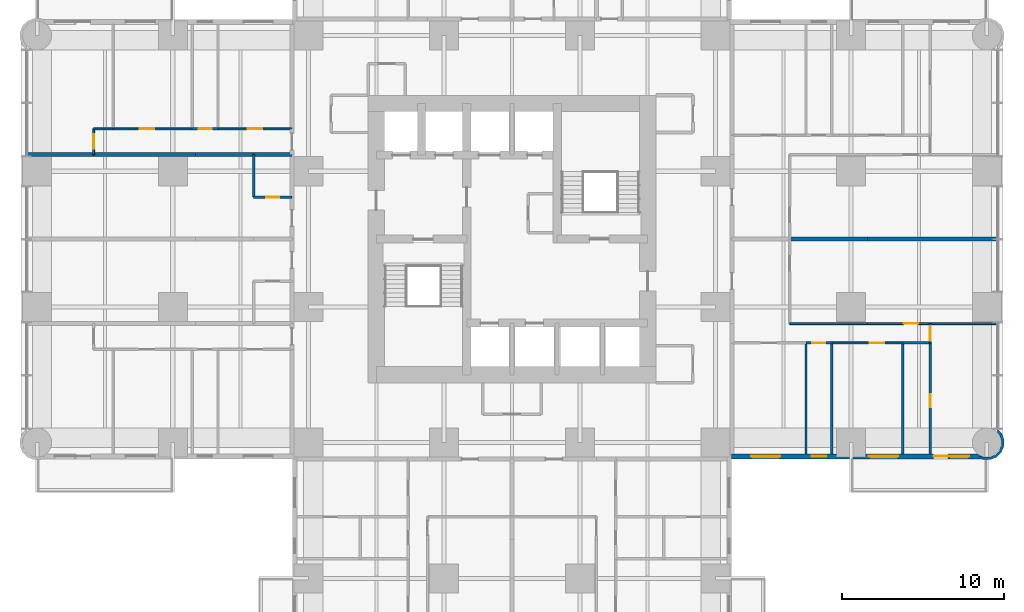
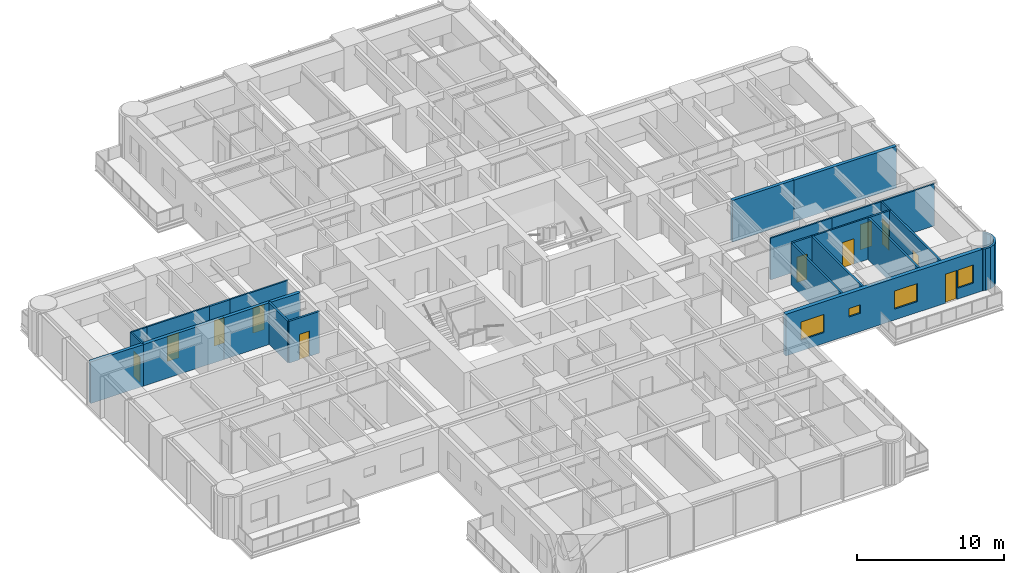
# One storey, part 11 of 17: 26 walls, 11 doors, 4 windows, 15 openings.
"""IFC4 building model written with IfcOpenShell, lengths in metres."""

from ifc_helpers import new_model, si_unit, direction, frame, frame_2d, origin, place, context, subcontext, project, spatial, polyline, rectangle, outline, extrude, material, layer, layer_set, type_object, element, fill, save


model = new_model("IFC4")

# Units and contexts
model_context = context("Model", 3, precision=1e-05, world=origin(), true_north=direction((0.0, 1.0)))
body_context = subcontext(model_context, "Body", "Model", "MODEL_VIEW")
ifc_project = project(units=[si_unit("LENGTHUNIT", "METRE"), si_unit("AREAUNIT", "SQUARE_METRE"), si_unit("VOLUMEUNIT", "CUBIC_METRE"), si_unit("PLANEANGLEUNIT", "RADIAN"), si_unit("MASSUNIT", "GRAM", prefix="KILO")], contexts=[model_context])

# Site, building, storey
site_placement = place(None, origin())
site = spatial("IfcSite", under=ifc_project, at=site_placement, CompositionType="ELEMENT")
building_placement = place(site_placement, origin())
building = spatial("IfcBuilding", under=site, at=building_placement, Name="Torre Alcanfor", CompositionType="ELEMENT")
storey_placement = place(building_placement, frame((0.0, 0.0, 66.89990234375)))
storey = spatial("IfcBuildingStorey", under=building, at=storey_placement, Name="L16", CompositionType="ELEMENT", Elevation=66.89990234375)

# Wall
ifc_material_1 = material(Name="Gypsum board on steel studs", Category="steel")
ifc_layer_1 = layer(ifc_material_1, 0.1201171875)
ifc_layer_set_1 = layer_set([ifc_layer_1], Name="Apartment partition 120")
wall_type_1 = type_object("IfcWallType", Name="Apartment partition 120", PredefinedType="PARTITIONING", material=ifc_layer_set_1)
wall_1_placement = place(storey_placement, frame((51.39990234375, 24.1708984375, 0.0), z_axis=(0.0, 0.0, 1.0), x_axis=(-1.0, 0.0, 0.0)))
element("IfcWall", 1, at=wall_1_placement, inside=storey, type_object=wall_type_1, Name="Partition L16-E2-KITCHEN / L16-E2-HALL", PredefinedType="PARTITIONING", context=body_context, shape_type="SweptSolid", body=[
    extrude(rectangle(XDim=4.7998046875, YDim=0.1201171875, at=frame_2d((2.39990234375, 0.0))), origin(), (0.0, 0.0, 1.0), 3.4501953125),
])

# Wall, opening, door
wall_2_placement = place(storey_placement, frame((55.300048828125, 24.1708984375, 0.0), z_axis=(0.0, 0.0, 1.0), x_axis=(-1.0, 0.0, 0.0)))
wall_2 = element("IfcWall", 2, at=wall_2_placement, inside=storey, type_object=wall_type_1, Name="Partition L16-E2-LIVING / L16-E2-HALL", PredefinedType="PARTITIONING", context=body_context, shape_type="SweptSolid", body=[
    extrude(rectangle(XDim=3.900146484375, YDim=0.1201171875, at=frame_2d((1.9501953125, 0.0))), origin(), (0.0, 0.0, 1.0), 3.4501953125),
])
opening_1_placement = place(wall_2_placement, frame((0.75, 0.0, 0.0)))
opening_1 = element("IfcOpeningElement", 3, at=opening_1_placement, cuts=wall_2, Name="Opening D-R1", PredefinedType="OPENING", context=body_context, shape_type="SweptSolid", body=[
    extrude(rectangle(XDim=0.89990234375, YDim=2.10009765625, at=frame_2d((0.449951171875, 1.050048828125))), frame((0.0, 0.070068359375, 0.0), z_axis=(0.0, -1.0, 0.0), x_axis=(1.0, 0.0, 0.0)), (0.0, 0.0, 1.0), 0.14013671875),
])
ifc_material_2 = material(Name="Timber", Category="wood")
door_type_1 = type_object("IfcDoorType", Name="Internal door 900x2100", OperationType="SINGLE_SWING_LEFT", PredefinedType="DOOR", material=ifc_material_2)
door_1_placement = place(opening_1_placement, frame((0.89990234375, 0.0, 0.0), z_axis=(0.0, 0.0, 1.0), x_axis=(-1.0, 0.0, 0.0)))
door_1 = element("IfcDoor", 4, at=door_1_placement, inside=storey, type_object=door_type_1, Name="Door L16-E2 living", OperationType="SINGLE_SWING_LEFT", OverallHeight=2.10009765625, OverallWidth=0.89990234375, PredefinedType="DOOR", context=body_context, shape_type="SweptSolid", body=[
    extrude(rectangle(XDim=0.89990234375, YDim=2.10009765625, at=frame_2d((0.449951171875, 1.050048828125))), frame((0.0, 0.025146484375, 0.0), z_axis=(0.0, -1.0, 0.0), x_axis=(1.0, 0.0, 0.0)), (0.0, 0.0, 1.0), 0.050048828125),
])
fill(opening_1, door_1)

# Wall
wall_3_placement = place(storey_placement, frame((59.449951171875, 24.1708984375, 0.0), z_axis=(0.0, 0.0, 1.0), x_axis=(-1.0, 0.0, 0.0)))
element("IfcWall", 5, at=wall_3_placement, inside=storey, type_object=wall_type_1, Name="Partition L16-E2-LIVING / L16-E2-MASTER", PredefinedType="PARTITIONING", context=body_context, shape_type="SweptSolid", body=[
    extrude(rectangle(XDim=4.14990234375, YDim=0.1201171875, at=frame_2d((2.074951171875, 0.0))), origin(), (0.0, 0.0, 1.0), 3.4501953125),
])

# Wall, opening, door
wall_4_placement = place(storey_placement, frame((53.60009765625, 22.970947265625, 0.0), z_axis=(0.0, 0.0, 1.0), x_axis=(-1.0, 0.0, 0.0)))
wall_4 = element("IfcWall", 6, at=wall_4_placement, inside=storey, type_object=wall_type_1, Name="Partition L16-E2-HALL / L16-E2-BED2", PredefinedType="PARTITIONING", context=body_context, shape_type="SweptSolid", body=[
    extrude(rectangle(XDim=4.400146484375, YDim=0.1201171875, at=frame_2d((2.2001953125, 0.0))), origin(), (0.0, 0.0, 1.0), 3.4501953125),
])
opening_2_placement = place(wall_4_placement, frame((1.14990234375, 0.0, 0.0)))
opening_2 = element("IfcOpeningElement", 7, at=opening_2_placement, cuts=wall_4, Name="Opening D-R1", PredefinedType="OPENING", context=body_context, shape_type="SweptSolid", body=[
    extrude(rectangle(XDim=0.89990234375, YDim=2.10009765625, at=frame_2d((0.449951171875, 1.050048828125))), frame((0.0, 0.070068359375, 0.0), z_axis=(0.0, -1.0, 0.0), x_axis=(1.0, 0.0, 0.0)), (0.0, 0.0, 1.0), 0.14013671875),
])
door_2_placement = place(opening_2_placement, origin())
door_2 = element("IfcDoor", 8, at=door_2_placement, inside=storey, type_object=door_type_1, Name="Door L16-E2 bed2", OperationType="SINGLE_SWING_LEFT", OverallHeight=2.10009765625, OverallWidth=0.89990234375, PredefinedType="DOOR", context=body_context, shape_type="SweptSolid", body=[
    extrude(rectangle(XDim=0.89990234375, YDim=2.10009765625, at=frame_2d((0.449951171875, 1.050048828125))), frame((0.0, 0.02490234375, 0.0), z_axis=(0.0, -1.0, 0.0), x_axis=(1.0, 0.0, 0.0)), (0.0, 0.0, 1.0), 0.050048828125),
])
fill(opening_2, door_2)

wall_5_placement = place(storey_placement, frame((55.300048828125, 24.1708984375, 0.0), z_axis=(0.0, 0.0, 1.0), x_axis=(0.0, -1.0, 0.0)))
wall_5 = element("IfcWall", 9, at=wall_5_placement, inside=storey, type_object=wall_type_1, Name="Partition L16-E2-HALL / L16-E2-MASTER", PredefinedType="PARTITIONING", context=body_context, shape_type="SweptSolid", body=[
    extrude(rectangle(XDim=1.199951171875, YDim=0.1201171875, at=frame_2d((0.60009765625, 0.0))), origin(), (0.0, 0.0, 1.0), 3.4501953125),
])
opening_3_placement = place(wall_5_placement, frame((0.15087890625, 0.0, 0.0)))
opening_3 = element("IfcOpeningElement", 10, at=opening_3_placement, cuts=wall_5, Name="Opening D-R1", PredefinedType="OPENING", context=body_context, shape_type="SweptSolid", body=[
    extrude(rectangle(XDim=0.89990234375, YDim=2.10009765625, at=frame_2d((0.449951171875, 1.050048828125))), frame((0.0, 0.070068359375, 0.0), z_axis=(0.0, -1.0, 0.0), x_axis=(1.0, 0.0, 0.0)), (0.0, 0.0, 1.0), 0.14013671875),
])
door_3_placement = place(opening_3_placement, origin())
door_3 = element("IfcDoor", 11, at=door_3_placement, inside=storey, type_object=door_type_1, Name="Door L16-E2 master", OperationType="SINGLE_SWING_LEFT", OverallHeight=2.10009765625, OverallWidth=0.89990234375, PredefinedType="DOOR", context=body_context, shape_type="SweptSolid", body=[
    extrude(rectangle(XDim=0.89990234375, YDim=2.10009765625, at=frame_2d((0.449951171875, 1.050048828125))), frame((0.0, 0.02490234375, 0.0), z_axis=(0.0, -1.0, 0.0), x_axis=(1.0, 0.0, 0.0)), (0.0, 0.0, 1.0), 0.050048828125),
])
fill(opening_3, door_3)

wall_6_placement = place(storey_placement, frame((11.199951171875, 36.22900390625, 0.0), z_axis=(0.0, 0.0, 1.0), x_axis=(1.0, 0.0, 0.0)))
wall_6 = element("IfcWall", 12, at=wall_6_placement, inside=storey, type_object=wall_type_1, Name="Partition L16-W2B-HALL / L16-W2B-BED2", PredefinedType="PARTITIONING", context=body_context, shape_type="SweptSolid", body=[
    extrude(rectangle(XDim=4.574951171875, YDim=0.1201171875, at=frame_2d((2.28759765625, 0.0))), origin(), (0.0, 0.0, 1.0), 3.4501953125),
])
opening_4_placement = place(wall_6_placement, frame((1.85009765625, 0.0, 0.0)))
opening_4 = element("IfcOpeningElement", 13, at=opening_4_placement, cuts=wall_6, Name="Opening D-R1", PredefinedType="OPENING", context=body_context, shape_type="SweptSolid", body=[
    extrude(rectangle(XDim=0.89990234375, YDim=2.10009765625, at=frame_2d((0.449951171875, 1.050048828125))), frame((0.0, 0.070068359375, 0.0), z_axis=(0.0, -1.0, 0.0), x_axis=(1.0, 0.0, 0.0)), (0.0, 0.0, 1.0), 0.14013671875),
])
door_4_placement = place(opening_4_placement, origin())
door_4 = element("IfcDoor", 14, at=door_4_placement, inside=storey, type_object=door_type_1, Name="Door L16-W2B bed2", OperationType="SINGLE_SWING_RIGHT", OverallHeight=2.10009765625, OverallWidth=0.89990234375, PredefinedType="DOOR", context=body_context, shape_type="SweptSolid", body=[
    extrude(rectangle(XDim=0.89990234375, YDim=2.10009765625, at=frame_2d((0.449951171875, 1.050048828125))), frame((0.0, 0.02490234375, 0.0), z_axis=(0.0, -1.0, 0.0), x_axis=(1.0, 0.0, 0.0)), (0.0, 0.0, 1.0), 0.050048828125),
])
fill(opening_4, door_4)

wall_7_placement = place(storey_placement, frame((4.699951171875, 36.22900390625, 0.0), z_axis=(0.0, 0.0, 1.0), x_axis=(1.0, 0.0, 0.0)))
wall_7 = element("IfcWall", 15, at=wall_7_placement, inside=storey, type_object=wall_type_1, Name="Partition L16-W2B-HALL / L16-W2B-MASTER", PredefinedType="PARTITIONING", context=body_context, shape_type="SweptSolid", body=[
    extrude(rectangle(XDim=4.900146484375, YDim=0.1201171875, at=frame_2d((2.4501953125, 0.0))), origin(), (0.0, 0.0, 1.0), 3.4501953125),
])
opening_5_placement = place(wall_7_placement, frame((1.64990234375, 0.0, 0.0)))
opening_5 = element("IfcOpeningElement", 16, at=opening_5_placement, cuts=wall_7, Name="Opening D-R1", PredefinedType="OPENING", context=body_context, shape_type="SweptSolid", body=[
    extrude(rectangle(XDim=0.89990234375, YDim=2.10009765625, at=frame_2d((0.449951171875, 1.050048828125))), frame((0.0, 0.070068359375, 0.0), z_axis=(0.0, -1.0, 0.0), x_axis=(1.0, 0.0, 0.0)), (0.0, 0.0, 1.0), 0.14013671875),
])
door_5_placement = place(opening_5_placement, origin())
door_5 = element("IfcDoor", 17, at=door_5_placement, inside=storey, type_object=door_type_1, Name="Door L16-W2B master", OperationType="SINGLE_SWING_LEFT", OverallHeight=2.10009765625, OverallWidth=0.89990234375, PredefinedType="DOOR", context=body_context, shape_type="SweptSolid", body=[
    extrude(rectangle(XDim=0.89990234375, YDim=2.10009765625, at=frame_2d((0.449951171875, 1.050048828125))), frame((0.0, 0.02490234375, 0.0), z_axis=(0.0, -1.0, 0.0), x_axis=(1.0, 0.0, 0.0)), (0.0, 0.0, 1.0), 0.050048828125),
])
fill(opening_5, door_5)

# Wall
wall_8_placement = place(storey_placement, frame((3.5, 36.22900390625, 0.0), z_axis=(0.0, 0.0, 1.0), x_axis=(1.0, 0.0, 0.0)))
element("IfcWall", 18, at=wall_8_placement, inside=storey, type_object=wall_type_1, Name="Partition L16-W2B-HALL / L16-W2B-KITCHEN", PredefinedType="PARTITIONING", context=body_context, shape_type="SweptSolid", body=[
    extrude(rectangle(XDim=1.199951171875, YDim=0.1201171875, at=frame_2d((0.60009765625, 0.0))), origin(), (0.0, 0.0, 1.0), 3.4501953125),
])

# Wall, opening, door
wall_9_placement = place(storey_placement, frame((3.5, 34.62890625, 0.0), z_axis=(0.0, 0.0, 1.0), x_axis=(0.0, 1.0, 0.0)))
wall_9 = element("IfcWall", 19, at=wall_9_placement, inside=storey, type_object=wall_type_1, Name="Partition L16-W2B-HALL / L16-W2B-LIVING", PredefinedType="PARTITIONING", context=body_context, shape_type="SweptSolid", body=[
    extrude(rectangle(XDim=1.60009765625, YDim=0.1201171875, at=frame_2d((0.800048828125, 0.0))), origin(), (0.0, 0.0, 1.0), 3.4501953125),
])
opening_6_placement = place(wall_9_placement, frame((0.35009765625, 0.0, 0.0)))
opening_6 = element("IfcOpeningElement", 20, at=opening_6_placement, cuts=wall_9, Name="Opening D-R1", PredefinedType="OPENING", context=body_context, shape_type="SweptSolid", body=[
    extrude(rectangle(XDim=0.89990234375, YDim=2.10009765625, at=frame_2d((0.449951171875, 1.050048828125))), frame((0.0, 0.070068359375, 0.0), z_axis=(0.0, -1.0, 0.0), x_axis=(1.0, 0.0, 0.0)), (0.0, 0.0, 1.0), 0.14013671875),
])
door_6_placement = place(opening_6_placement, origin())
door_6 = element("IfcDoor", 21, at=door_6_placement, inside=storey, type_object=door_type_1, Name="Door L16-W2B living", OperationType="SINGLE_SWING_LEFT", OverallHeight=2.10009765625, OverallWidth=0.89990234375, PredefinedType="DOOR", context=body_context, shape_type="SweptSolid", body=[
    extrude(rectangle(XDim=0.89990234375, YDim=2.10009765625, at=frame_2d((0.449951171875, 1.050048828125))), frame((0.0, 0.02490234375, 0.0), z_axis=(0.0, -1.0, 0.0), x_axis=(1.0, 0.0, 0.0)), (0.0, 0.0, 1.0), 0.050048828125),
])
fill(opening_6, door_6)

# Wall, openings, door, windows
ifc_material_3 = material(Name="Limestone cladding", Category="masonry")
ifc_layer_2 = layer(ifc_material_3, 0.0400390625, Name="Facing")
ifc_material_4 = material(Name="Ventilated air cavity")
ifc_layer_3 = layer(ifc_material_4, 0.02001953125, ventilated=True, Name="Ventilated joint")
ifc_material_5 = material(Name="Mineral wool insulation", Category="insulation")
ifc_layer_4 = layer(ifc_material_5, 0.10009765625, Name="Insulation")
ifc_material_6 = material(Name="Concrete f'c 35 MPa", Category="concrete")
ifc_layer_5 = layer(ifc_material_6, 0.139892578125, Name="Backing")
ifc_layer_set_2 = layer_set([ifc_layer_2, ifc_layer_3, ifc_layer_4, ifc_layer_5], Name="External wall stone-clad 300")
wall_type_2 = type_object("IfcWallType", Name="External wall stone-clad 300", PredefinedType="SOLIDWALL", material=ifc_layer_set_2)
wall_10_placement = place(storey_placement, frame((43.0, 15.949951171875, 0.0), z_axis=(0.0, 0.0, 1.0), x_axis=(1.0, 0.0, 0.0)))
wall_10 = element("IfcWall", 22, at=wall_10_placement, inside=storey, type_object=wall_type_2, Name="External wall L16 7", PredefinedType="SOLIDWALL", context=body_context, shape_type="SweptSolid", body=[
    extrude(rectangle(XDim=15.39990234375, YDim=0.300048828125, at=frame_2d((7.699951171875, 0.0))), origin(), (0.0, 0.0, 1.0), 3.4501953125),
])
opening_7_placement = place(wall_10_placement, frame((1.199951171875, 0.0, 0.89990234375)))
opening_7 = element("IfcOpeningElement", 23, at=opening_7_placement, cuts=wall_10, Name="Opening W2", PredefinedType="OPENING", context=body_context, shape_type="SweptSolid", body=[
    extrude(rectangle(XDim=1.800048828125, YDim=1.5, at=frame_2d((0.89990234375, 0.75))), frame((0.0, 0.159912109375, 0.0), z_axis=(0.0, -1.0, 0.0), x_axis=(1.0, 0.0, 0.0)), (0.0, 0.0, 1.0), 0.320068359375),
])
opening_8_placement = place(wall_10_placement, frame((4.949951171875, 0.0, 1.5)))
opening_8 = element("IfcOpeningElement", 24, at=opening_8_placement, cuts=wall_10, Name="Opening W3", PredefinedType="OPENING", context=body_context, shape_type="SweptSolid", body=[
    extrude(rectangle(XDim=0.89990234375, YDim=0.699951171875, at=frame_2d((0.449951171875, 0.35009765625))), frame((0.0, 0.159912109375, 0.0), z_axis=(0.0, -1.0, 0.0), x_axis=(1.0, 0.0, 0.0)), (0.0, 0.0, 1.0), 0.320068359375),
])
opening_9_placement = place(wall_10_placement, frame((8.5, 0.0, 0.89990234375)))
opening_9 = element("IfcOpeningElement", 25, at=opening_9_placement, cuts=wall_10, Name="Opening W2", PredefinedType="OPENING", context=body_context, shape_type="SweptSolid", body=[
    extrude(rectangle(XDim=1.800048828125, YDim=1.5, at=frame_2d((0.89990234375, 0.75))), frame((0.0, 0.159912109375, 0.0), z_axis=(0.0, -1.0, 0.0), x_axis=(1.0, 0.0, 0.0)), (0.0, 0.0, 1.0), 0.320068359375),
])
opening_10_placement = place(wall_10_placement, frame((12.5, 0.0, 0.0)))
opening_10 = element("IfcOpeningElement", 26, at=opening_10_placement, cuts=wall_10, Name="Opening D-B1", PredefinedType="OPENING", context=body_context, shape_type="SweptSolid", body=[
    extrude(rectangle(XDim=0.89990234375, YDim=2.39990234375, at=frame_2d((0.449951171875, 1.199951171875))), frame((0.0, 0.159912109375, 0.0), z_axis=(0.0, -1.0, 0.0), x_axis=(1.0, 0.0, 0.0)), (0.0, 0.0, 1.0), 0.320068359375),
])
opening_11_placement = place(wall_10_placement, frame((13.5, 0.0, 0.89990234375)))
opening_11 = element("IfcOpeningElement", 27, at=opening_11_placement, cuts=wall_10, Name="Opening W4", PredefinedType="OPENING", context=body_context, shape_type="SweptSolid", body=[
    extrude(rectangle(XDim=1.199951171875, YDim=1.5, at=frame_2d((0.60009765625, 0.75))), frame((0.0, 0.159912109375, 0.0), z_axis=(0.0, -1.0, 0.0), x_axis=(1.0, 0.0, 0.0)), (0.0, 0.0, 1.0), 0.320068359375),
])
ifc_material_7 = material(Name="Aluminium and glass", Category="aluminium")
door_type_2 = type_object("IfcDoorType", Name="Balcony door glazed 900x2400", OperationType="SINGLE_SWING_LEFT", PredefinedType="DOOR", material=ifc_material_7)
door_7_placement = place(opening_10_placement, origin())
door_7 = element("IfcDoor", 28, at=door_7_placement, inside=storey, type_object=door_type_2, Name="Balcony door L16-E2", OperationType="SINGLE_SWING_LEFT", OverallHeight=2.39990234375, OverallWidth=0.89990234375, PredefinedType="DOOR", context=body_context, shape_type="SweptSolid", body=[
    extrude(rectangle(XDim=0.89990234375, YDim=2.39990234375, at=frame_2d((0.449951171875, 1.199951171875))), frame((0.0, 0.02490234375, 0.0), z_axis=(0.0, -1.0, 0.0), x_axis=(1.0, 0.0, 0.0)), (0.0, 0.0, 1.0), 0.050048828125),
])
fill(opening_10, door_7)
ifc_material_8 = material(Name="Aluminium frame with clear double glazing", Category="aluminium")
window_type_1 = type_object("IfcWindowType", Name="Window bathroom 900x700", PartitioningType="SINGLE_PANEL", PredefinedType="WINDOW", material=ifc_material_8)
window_1_placement = place(opening_8_placement, origin())
window_1 = element("IfcWindow", 29, at=window_1_placement, inside=storey, type_object=window_type_1, Name="Window W3 L16-E2", OverallHeight=0.699951171875, OverallWidth=0.89990234375, PartitioningType="SINGLE_PANEL", PredefinedType="WINDOW", context=body_context, shape_type="SweptSolid", body=[
    extrude(rectangle(XDim=0.89990234375, YDim=0.699951171875, at=frame_2d((0.449951171875, 0.35009765625))), frame((0.0, 0.030029296875, 0.0), z_axis=(0.0, -1.0, 0.0), x_axis=(1.0, 0.0, 0.0)), (0.0, 0.0, 1.0), 0.06005859375),
])
fill(opening_8, window_1)
ifc_material_9 = material(Name="Aluminium frame with clear double glazing", Category="aluminium")
window_type_2 = type_object("IfcWindowType", Name="Window bedroom 1200x1500", PartitioningType="SINGLE_PANEL", PredefinedType="WINDOW", material=ifc_material_9)
window_2_placement = place(opening_11_placement, origin())
window_2 = element("IfcWindow", 30, at=window_2_placement, inside=storey, type_object=window_type_2, Name="Window W4 L16-E2", OverallHeight=1.5, OverallWidth=1.199951171875, PartitioningType="SINGLE_PANEL", PredefinedType="WINDOW", context=body_context, shape_type="SweptSolid", body=[
    extrude(rectangle(XDim=1.199951171875, YDim=1.5, at=frame_2d((0.60009765625, 0.75))), frame((0.0, 0.030029296875, 0.0), z_axis=(0.0, -1.0, 0.0), x_axis=(1.0, 0.0, 0.0)), (0.0, 0.0, 1.0), 0.06005859375),
])
fill(opening_11, window_2)
ifc_material_10 = material(Name="Aluminium frame with clear double glazing", Category="aluminium")
window_type_3 = type_object("IfcWindowType", Name="Window bedroom 1800x1500", PartitioningType="SINGLE_PANEL", PredefinedType="WINDOW", material=ifc_material_10)
window_3_placement = place(opening_7_placement, origin())
window_3 = element("IfcWindow", 31, at=window_3_placement, inside=storey, type_object=window_type_3, Name="Window W2 L16-E2", OverallHeight=1.5, OverallWidth=1.800048828125, PartitioningType="SINGLE_PANEL", PredefinedType="WINDOW", context=body_context, shape_type="SweptSolid", body=[
    extrude(rectangle(XDim=1.800048828125, YDim=1.5, at=frame_2d((0.89990234375, 0.75))), frame((0.0, 0.030029296875, 0.0), z_axis=(0.0, -1.0, 0.0), x_axis=(1.0, 0.0, 0.0)), (0.0, 0.0, 1.0), 0.06005859375),
])
fill(opening_7, window_3)
window_4_placement = place(opening_9_placement, origin())
window_4 = element("IfcWindow", 32, at=window_4_placement, inside=storey, type_object=window_type_3, Name="Window W2 L16-E2", OverallHeight=1.5, OverallWidth=1.800048828125, PartitioningType="SINGLE_PANEL", PredefinedType="WINDOW", context=body_context, shape_type="SweptSolid", body=[
    extrude(rectangle(XDim=1.800048828125, YDim=1.5, at=frame_2d((0.89990234375, 0.75))), frame((0.0, 0.030029296875, 0.0), z_axis=(0.0, -1.0, 0.0), x_axis=(1.0, 0.0, 0.0)), (0.0, 0.0, 1.0), 0.06005859375),
])
fill(opening_9, window_4)

# Walls
ifc_material_11 = material(Name="Concrete block masonry, hollow blocks NMX-C-404 9 MPa", Category="masonry")
ifc_layer_6 = layer(ifc_material_11, 0.25)
ifc_layer_set_3 = layer_set([ifc_layer_6], Name="Party wall 250 EI 60")
wall_type_3 = type_object("IfcWallType", Name="Party wall 250 EI 60", PredefinedType="PARTITIONING", material=ifc_layer_set_3)
wall_11_placement = place(storey_placement, frame((46.60009765625, 29.39990234375, 0.0), z_axis=(0.0, 0.0, 1.0), x_axis=(1.0, 0.0, 0.0)))
element("IfcWall", 33, at=wall_11_placement, inside=storey, type_object=wall_type_3, Name="Partition L16-E1-KITCHEN / L16-E2-KITCHEN", PredefinedType="PARTITIONING", context=body_context, shape_type="SweptSolid", body=[
    extrude(rectangle(XDim=4.7998046875, YDim=0.25, at=frame_2d((2.39990234375, 0.0))), origin(), (0.0, 0.0, 1.0), 3.4501953125),
])
wall_12_placement = place(storey_placement, frame((51.39990234375, 29.39990234375, 0.0), z_axis=(0.0, 0.0, 1.0), x_axis=(1.0, 0.0, 0.0)))
element("IfcWall", 34, at=wall_12_placement, inside=storey, type_object=wall_type_3, Name="Partition L16-E1-LIVING / L16-E2-LIVING", PredefinedType="PARTITIONING", context=body_context, shape_type="SweptSolid", body=[
    extrude(rectangle(XDim=8.050048828125, YDim=0.25, at=frame_2d((4.02490234375, 0.0))), origin(), (0.0, 0.0, 1.0), 3.4501953125),
])
wall_13_placement = place(storey_placement, frame((13.39990234375, 34.62890625, 0.0), z_axis=(0.0, 0.0, 1.0), x_axis=(1.0, 0.0, 0.0)))
element("IfcWall", 35, at=wall_13_placement, inside=storey, type_object=wall_type_3, Name="Partition L16-W2A-BATH / L16-W2B-HALL", PredefinedType="PARTITIONING", context=body_context, shape_type="SweptSolid", body=[
    extrude(rectangle(XDim=2.375, YDim=0.25, at=frame_2d((1.1875, 0.0))), origin(), (0.0, 0.0, 1.0), 3.4501953125),
])
wall_14_placement = place(storey_placement, frame((9.800048828125, 34.62890625, 0.0), z_axis=(0.0, 0.0, 1.0), x_axis=(1.0, 0.0, 0.0)))
element("IfcWall", 36, at=wall_14_placement, inside=storey, type_object=wall_type_3, Name="Partition L16-W2A-KITCHEN / L16-W2B-HALL", PredefinedType="PARTITIONING", context=body_context, shape_type="SweptSolid", body=[
    extrude(rectangle(XDim=3.599853515625, YDim=0.25, at=frame_2d((1.7998046875, 0.0))), origin(), (0.0, 0.0, 1.0), 3.4501953125),
])
wall_15_placement = place(storey_placement, frame((3.5, 34.62890625, 0.0), z_axis=(0.0, 0.0, 1.0), x_axis=(1.0, 0.0, 0.0)))
element("IfcWall", 37, at=wall_15_placement, inside=storey, type_object=wall_type_3, Name="Partition L16-W2A-STUDIO / L16-W2B-HALL", PredefinedType="PARTITIONING", context=body_context, shape_type="SweptSolid", body=[
    extrude(rectangle(XDim=6.300048828125, YDim=0.25, at=frame_2d((3.14990234375, 0.0))), origin(), (0.0, 0.0, 1.0), 3.4501953125),
])
wall_16_placement = place(storey_placement, frame((-0.64990234375, 34.62890625, 0.0), z_axis=(0.0, 0.0, 1.0), x_axis=(1.0, 0.0, 0.0)))
element("IfcWall", 38, at=wall_16_placement, inside=storey, type_object=wall_type_3, Name="Partition L16-W2A-STUDIO / L16-W2B-LIVING", PredefinedType="PARTITIONING", context=body_context, shape_type="SweptSolid", body=[
    extrude(rectangle(XDim=4.14990234375, YDim=0.25, at=frame_2d((2.074951171875, 0.0))), origin(), (0.0, 0.0, 1.0), 3.4501953125),
])
ifc_layer_7 = layer(ifc_material_3, 0.0400390625, Name="Facing")
ifc_layer_8 = layer(ifc_material_4, 0.02001953125, ventilated=True, Name="Ventilated joint")
ifc_layer_9 = layer(ifc_material_5, 0.10009765625, Name="Insulation")
ifc_layer_10 = layer(ifc_material_6, 0.139892578125, Name="Backing")
ifc_layer_set_4 = layer_set([ifc_layer_7, ifc_layer_8, ifc_layer_9, ifc_layer_10], Name="Rounded corner pier stone-clad 300")
wall_type_4 = type_object("IfcWallType", Name="Rounded corner pier stone-clad 300", PredefinedType="SOLIDWALL", material=ifc_layer_set_4)
wall_17_placement = place(storey_placement, frame((58.436037137, 15.890092843, 0.0), z_axis=(0.0, 0.0, 1.0), x_axis=(0.926129809145, -0.377204953059, 0.0)))
element("IfcWall", 39, at=wall_17_placement, inside=storey, type_object=wall_type_4, Name="Corner pier L16 17", PredefinedType="SOLIDWALL", context=body_context, shape_type="SweptSolid", body=[
    extrude(outline(polyline([(0.769166837716128, 1.7276108100514604), (0.7500653632983351, 1.7227306908268178), (0.5995000244675756, 1.8749338844742405), (0.2945752424497483, 2.003546223814982), (0.2810088878235957, 1.9980207606354041), (0.36029928445054193, 1.803343571750114), (0.5086711604613772, 1.740666542271283), (0.7606181499848057, 1.4858220995022824), (0.8958078157784841, 1.153898622982415), (0.8937038530249802, 0.7953177307388815), (0.7545964309992416, 0.4650292826997394), (0.49975198823024103, 0.21308229317631072), (0.16782851171037358, 0.07789262738263233), (-0.0998950178182167, 0.07956887308382314), (0.0004995392280573718, -0.09702266930253471), (0.03004451591433495, -0.08024419760165923), (0.19838601885213236, -0.08127415720020953), (0.5888709261748919, 0.07776709131864781), (0.888863773202199, 0.37420041869354087), (1.0524038230869968, 0.7629450169505976), (1.0552007062717619, 1.1845482211771667), (0.8961594577529046, 1.5750331284999262), (0.777713405588319, 1.694976661367872), (0.769166837716128, 1.7276108100514604)])), origin(), (0.0, 0.0, 1.0), 3.4501953125),
])

# Wall, opening, door
ifc_material_12 = material(Name="Cement board on steel studs", Category="steel")
ifc_layer_11 = layer(ifc_material_12, 0.14990234375)
ifc_layer_set_5 = layer_set([ifc_layer_11], Name="Wet area partition 150")
wall_type_5 = type_object("IfcWallType", Name="Wet area partition 150", PredefinedType="PARTITIONING", material=ifc_layer_set_5)
wall_18_placement = place(storey_placement, frame((49.199951171875, 22.970947265625, 0.0), z_axis=(0.0, 0.0, 1.0), x_axis=(-1.0, 0.0, 0.0)))
wall_18 = element("IfcWall", 40, at=wall_18_placement, inside=storey, type_object=wall_type_5, Name="Partition L16-E2-HALL / L16-E2-BATH1", PredefinedType="PARTITIONING", context=body_context, shape_type="SweptSolid", body=[
    extrude(rectangle(XDim=1.599853515625, YDim=0.14990234375, at=frame_2d((0.7998046875, 0.0))), origin(), (0.0, 0.0, 1.0), 3.4501953125),
])
opening_12_placement = place(wall_18_placement, frame((0.39990234375, 0.0, 0.0)))
opening_12 = element("IfcOpeningElement", 41, at=opening_12_placement, cuts=wall_18, Name="Opening D-R2", PredefinedType="OPENING", context=body_context, shape_type="SweptSolid", body=[
    extrude(rectangle(XDim=0.800048828125, YDim=2.10009765625, at=frame_2d((0.39990234375, 1.050048828125))), frame((0.0, 0.0849609375, 0.0), z_axis=(0.0, -1.0, 0.0), x_axis=(1.0, 0.0, 0.0)), (0.0, 0.0, 1.0), 0.169921875),
])
ifc_material_13 = material(Name="Timber", Category="wood")
door_type_3 = type_object("IfcDoorType", Name="Bathroom door 800x2100", OperationType="SINGLE_SWING_LEFT", PredefinedType="DOOR", material=ifc_material_13)
door_8_placement = place(opening_12_placement, origin())
door_8 = element("IfcDoor", 42, at=door_8_placement, inside=storey, type_object=door_type_3, Name="Door L16-E2 bath1", OperationType="SINGLE_SWING_LEFT", OverallHeight=2.10009765625, OverallWidth=0.800048828125, PredefinedType="DOOR", context=body_context, shape_type="SweptSolid", body=[
    extrude(rectangle(XDim=0.800048828125, YDim=2.10009765625, at=frame_2d((0.39990234375, 1.050048828125))), frame((0.0, 0.02490234375, 0.0), z_axis=(0.0, -1.0, 0.0), x_axis=(1.0, 0.0, 0.0)), (0.0, 0.0, 1.0), 0.050048828125),
])
fill(opening_12, door_8)

# Walls
wall_19_placement = place(storey_placement, frame((55.300048828125, 22.970947265625, 0.0), z_axis=(0.0, 0.0, 1.0), x_axis=(-1.0, 0.0, 0.0)))
element("IfcWall", 43, at=wall_19_placement, inside=storey, type_object=wall_type_5, Name="Partition L16-E2-HALL / L16-E2-ENSBATH", PredefinedType="PARTITIONING", context=body_context, shape_type="SweptSolid", body=[
    extrude(rectangle(XDim=1.699951171875, YDim=0.14990234375, at=frame_2d((0.85009765625, 0.0))), origin(), (0.0, 0.0, 1.0), 3.4501953125),
])
for number, where, z_axis, x_axis, name in (
    (44, (47.60009765625, 22.970947265625, 0.0), (0.0, 0.0, 1.0), (0.0, -1.0, 0.0), "Partition L16-E2-BED3 / L16-E2-BATH1"),
    (45, (49.199951171875, 22.970947265625, 0.0), (0.0, 0.0, 1.0), (0.0, -1.0, 0.0), "Partition L16-E2-BATH1 / L16-E2-BED2"),
    (46, (53.60009765625, 22.970947265625, 0.0), (0.0, 0.0, 1.0), (0.0, -1.0, 0.0), "Partition L16-E2-BED2 / L16-E2-ENSBATH"),
):
    element("IfcWall", number, at=place(storey_placement, frame(where, z_axis=z_axis, x_axis=x_axis)), inside=storey, type_object=wall_type_5, Name=name, PredefinedType="PARTITIONING", context=body_context, shape_type="SweptSolid", body=[
        extrude(rectangle(XDim=6.870849609375, YDim=0.14990234375, at=frame_2d((3.435546875, 0.0))), origin(), (0.0, 0.0, 1.0), 3.4501953125),
    ])

# Wall, opening, door
wall_20_placement = place(storey_placement, frame((55.300048828125, 22.970947265625, 0.0), z_axis=(0.0, 0.0, 1.0), x_axis=(0.0, -1.0, 0.0)))
wall_20 = element("IfcWall", 47, at=wall_20_placement, inside=storey, type_object=wall_type_5, Name="Partition L16-E2-ENSBATH / L16-E2-MASTER", PredefinedType="PARTITIONING", context=body_context, shape_type="SweptSolid", body=[
    extrude(rectangle(XDim=6.870849609375, YDim=0.14990234375, at=frame_2d((3.435546875, 0.0))), origin(), (0.0, 0.0, 1.0), 3.4501953125),
])
opening_13_placement = place(wall_20_placement, frame((3.1708984375, 0.0, 0.0)))
opening_13 = element("IfcOpeningElement", 48, at=opening_13_placement, cuts=wall_20, Name="Opening D-R2", PredefinedType="OPENING", context=body_context, shape_type="SweptSolid", body=[
    extrude(rectangle(XDim=0.800048828125, YDim=2.10009765625, at=frame_2d((0.39990234375, 1.050048828125))), frame((0.0, 0.0849609375, 0.0), z_axis=(0.0, -1.0, 0.0), x_axis=(1.0, 0.0, 0.0)), (0.0, 0.0, 1.0), 0.169921875),
])
door_9_placement = place(opening_13_placement, frame((0.800048828125, 0.0, 0.0), z_axis=(0.0, 0.0, 1.0), x_axis=(-1.0, 0.0, 0.0)))
door_9 = element("IfcDoor", 49, at=door_9_placement, inside=storey, type_object=door_type_3, Name="Door L16-E2 ensbath", OperationType="SINGLE_SWING_LEFT", OverallHeight=2.10009765625, OverallWidth=0.800048828125, PredefinedType="DOOR", context=body_context, shape_type="SweptSolid", body=[
    extrude(rectangle(XDim=0.800048828125, YDim=2.10009765625, at=frame_2d((0.400146484375, 1.050048828125))), frame((0.0, 0.025146484375, 0.0), z_axis=(0.0, -1.0, 0.0), x_axis=(1.0, 0.0, 0.0)), (0.0, 0.0, 1.0), 0.050048828125),
])
fill(opening_13, door_9)

wall_21_placement = place(storey_placement, frame((13.39990234375, 32.0, 0.0), z_axis=(0.0, 0.0, 1.0), x_axis=(1.0, 0.0, 0.0)))
wall_21 = element("IfcWall", 50, at=wall_21_placement, inside=storey, type_object=wall_type_5, Name="Partition L16-W2A-FOYER / L16-W2A-BATH", PredefinedType="PARTITIONING", context=body_context, shape_type="SweptSolid", body=[
    extrude(rectangle(XDim=2.375, YDim=0.14990234375, at=frame_2d((1.1875, 0.0))), origin(), (0.0, 0.0, 1.0), 3.4501953125),
])
opening_14_placement = place(wall_21_placement, frame((0.800048828125, 0.0, 0.0)))
opening_14 = element("IfcOpeningElement", 51, at=opening_14_placement, cuts=wall_21, Name="Opening D-R2", PredefinedType="OPENING", context=body_context, shape_type="SweptSolid", body=[
    extrude(rectangle(XDim=0.800048828125, YDim=2.10009765625, at=frame_2d((0.39990234375, 1.050048828125))), frame((0.0, 0.0849609375, 0.0), z_axis=(0.0, -1.0, 0.0), x_axis=(1.0, 0.0, 0.0)), (0.0, 0.0, 1.0), 0.169921875),
])
door_10_placement = place(opening_14_placement, origin())
door_10 = element("IfcDoor", 52, at=door_10_placement, inside=storey, type_object=door_type_3, Name="Door L16-W2A bath", OperationType="SINGLE_SWING_RIGHT", OverallHeight=2.10009765625, OverallWidth=0.800048828125, PredefinedType="DOOR", context=body_context, shape_type="SweptSolid", body=[
    extrude(rectangle(XDim=0.800048828125, YDim=2.10009765625, at=frame_2d((0.39990234375, 1.050048828125))), frame((0.0, 0.02490234375, 0.0), z_axis=(0.0, -1.0, 0.0), x_axis=(1.0, 0.0, 0.0)), (0.0, 0.0, 1.0), 0.050048828125),
])
fill(opening_14, door_10)

# Wall
wall_22_placement = place(storey_placement, frame((13.39990234375, 32.0, 0.0), z_axis=(0.0, 0.0, 1.0), x_axis=(0.0, 1.0, 0.0)))
element("IfcWall", 53, at=wall_22_placement, inside=storey, type_object=wall_type_5, Name="Partition L16-W2A-BATH / L16-W2A-KITCHEN", PredefinedType="PARTITIONING", context=body_context, shape_type="SweptSolid", body=[
    extrude(rectangle(XDim=2.62890625, YDim=0.14990234375, at=frame_2d((1.314453125, 0.0))), origin(), (0.0, 0.0, 1.0), 3.4501953125),
])

# Wall, opening, door
wall_23_placement = place(storey_placement, frame((9.60009765625, 36.22900390625, 0.0), z_axis=(0.0, 0.0, 1.0), x_axis=(1.0, 0.0, 0.0)))
wall_23 = element("IfcWall", 54, at=wall_23_placement, inside=storey, type_object=wall_type_5, Name="Partition L16-W2B-HALL / L16-W2B-BATH", PredefinedType="PARTITIONING", context=body_context, shape_type="SweptSolid", body=[
    extrude(rectangle(XDim=1.599853515625, YDim=0.14990234375, at=frame_2d((0.7998046875, 0.0))), origin(), (0.0, 0.0, 1.0), 3.4501953125),
])
opening_15_placement = place(wall_23_placement, frame((0.39990234375, 0.0, 0.0)))
opening_15 = element("IfcOpeningElement", 55, at=opening_15_placement, cuts=wall_23, Name="Opening D-R2", PredefinedType="OPENING", context=body_context, shape_type="SweptSolid", body=[
    extrude(rectangle(XDim=0.800048828125, YDim=2.10009765625, at=frame_2d((0.39990234375, 1.050048828125))), frame((0.0, 0.0849609375, 0.0), z_axis=(0.0, -1.0, 0.0), x_axis=(1.0, 0.0, 0.0)), (0.0, 0.0, 1.0), 0.169921875),
])
door_11_placement = place(opening_15_placement, origin())
door_11 = element("IfcDoor", 56, at=door_11_placement, inside=storey, type_object=door_type_3, Name="Door L16-W2B bath", OperationType="SINGLE_SWING_LEFT", OverallHeight=2.10009765625, OverallWidth=0.800048828125, PredefinedType="DOOR", context=body_context, shape_type="SweptSolid", body=[
    extrude(rectangle(XDim=0.800048828125, YDim=2.10009765625, at=frame_2d((0.39990234375, 1.050048828125))), frame((0.0, 0.02490234375, 0.0), z_axis=(0.0, -1.0, 0.0), x_axis=(1.0, 0.0, 0.0)), (0.0, 0.0, 1.0), 0.050048828125),
])
fill(opening_15, door_11)

save(model, "model.ifc")
